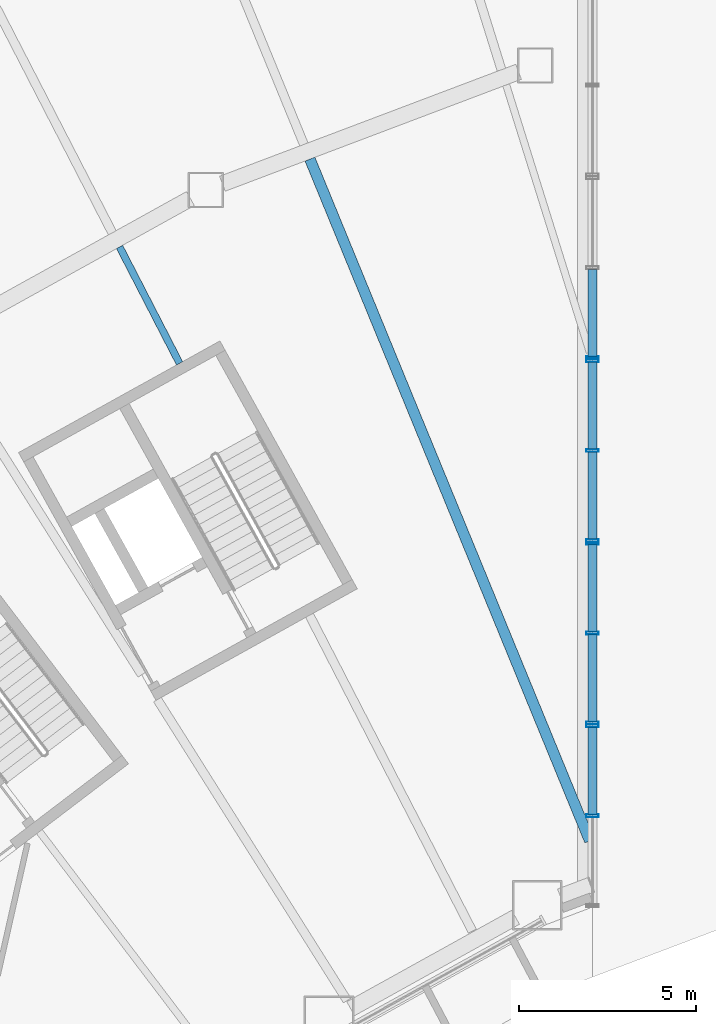
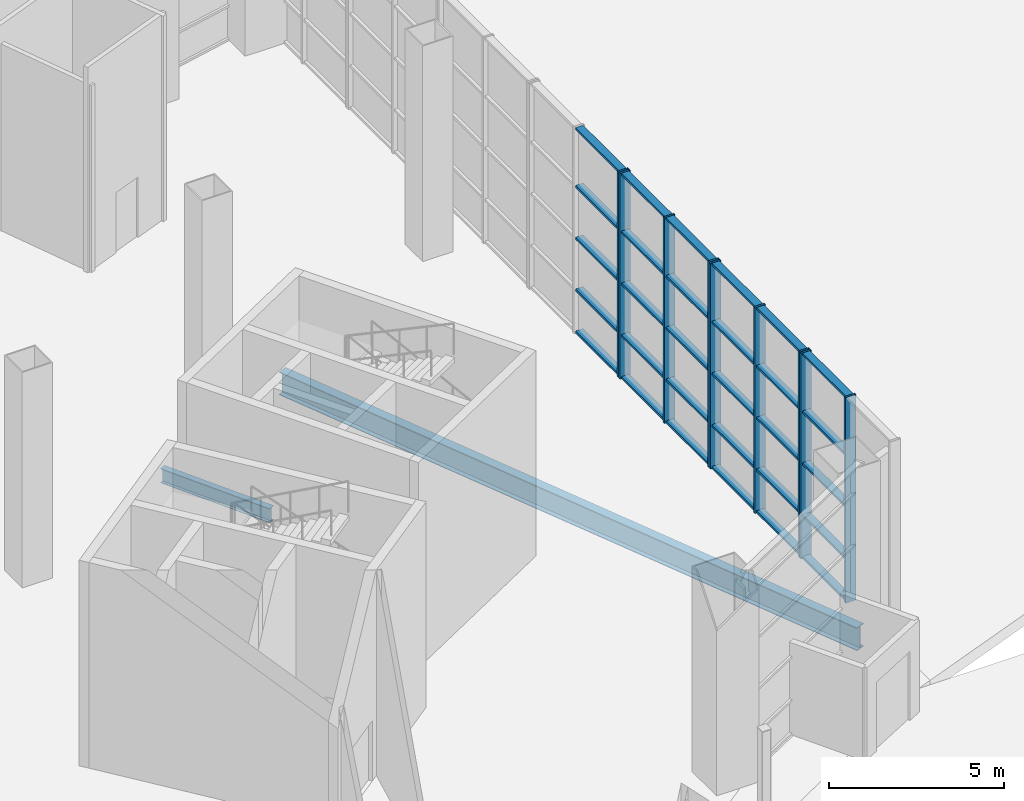
# One storey, part 14 of 45: 39 members, 2 beams, 4 elements without a shape of their own.
"""IFC4 building model written with IfcOpenShell, lengths in metres."""

from ifc_helpers import new_model, si_unit, direction, frame, origin, origin_2d, place, context, subcontext, project, spatial, hollow_rectangle, i_section, extrude, material, layer, layer_set, material_profile, profile_set, type_object, element, aggregate, save


model = new_model("IFC4")

# Units and contexts
model_context = context("Model", 3, precision=1e-05, world=origin(), true_north=direction((0.0, 1.0)))
body_context = subcontext(model_context, "Body", "Model", "MODEL_VIEW")
ifc_project = project(units=[si_unit("LENGTHUNIT", "METRE"), si_unit("AREAUNIT", "SQUARE_METRE"), si_unit("VOLUMEUNIT", "CUBIC_METRE"), si_unit("PLANEANGLEUNIT", "RADIAN"), si_unit("MASSUNIT", "GRAM", prefix="KILO")], contexts=[model_context])

# Site, building, storey
site_placement = place(None, origin())
site = spatial("IfcSite", under=ifc_project, at=site_placement, CompositionType="ELEMENT")
building_placement = place(site_placement, origin())
building = spatial("IfcBuilding", under=site, at=building_placement, Name="Tuul Gate Civic Tower", CompositionType="ELEMENT")
storey_placement = place(building_placement, origin())
storey = spatial("IfcBuildingStorey", under=building, at=storey_placement, Name="Level 00", CompositionType="ELEMENT", Elevation=0.0)

# Curtain wall, members
ifc_material_1 = material(Name="Stainless steel", Category="steel")
ifc_layer = layer(ifc_material_1, 0.199951171875)
ifc_layer_set = layer_set([ifc_layer], Name="Stainless steel")
curtain_wall_type = type_object("IfcCurtainWallType", Name="Curtain wall CW2", PredefinedType="NOTDEFINED", material=ifc_layer_set)
curtain_wall_1_placement = place(storey_placement, origin())
curtain_wall_1 = element("IfcCurtainWall", 1, at=curtain_wall_1_placement, inside=storey, type_object=curtain_wall_type, Name="Curtain wall CW2", PredefinedType="NOTDEFINED")
ifc_material_2 = material(Name="Stainless steel", Category="steel")
ifc_material_profile_1 = material_profile(ifc_material_2, hollow_rectangle(XDim=0.35009765625, YDim=0.080078125, WallThickness=0.006103515625, at=origin_2d()), Name="CW2 mullion")
ifc_profile_set_1 = profile_set([ifc_material_profile_1], Name="Stainless steel")
member_type_1 = type_object("IfcMemberType", Name="CW2 mullion", PredefinedType="MULLION", material=ifc_profile_set_1)
member_1_placement = place(storey_placement, frame((-18.0, -15.25732421875, 0.0), z_axis=(0.0, 0.0, 1.0), x_axis=(-1.0, 0.0, 0.0)))
member_1 = element("IfcMember", 2, at=member_1_placement, type_object=member_type_1, Name="Mullion", PredefinedType="MULLION", context=body_context, shape_type="SweptSolid", body=[
    extrude(hollow_rectangle(XDim=0.35009765625, YDim=0.080078125, WallThickness=0.006103515625, at=origin_2d()), origin(), (0.0, 0.0, 1.0), 7.14990234375),
])
member_2_placement = place(storey_placement, frame((-18.0, -12.71875, 0.0), z_axis=(0.0, 0.0, 1.0), x_axis=(-1.0, 0.0, 0.0)))
member_2 = element("IfcMember", 3, at=member_2_placement, type_object=member_type_1, Name="Mullion", PredefinedType="MULLION", context=body_context, shape_type="SweptSolid", body=[
    extrude(hollow_rectangle(XDim=0.35009765625, YDim=0.080078125, WallThickness=0.006103515625, at=origin_2d()), origin(), (0.0, 0.0, 1.0), 7.14990234375),
])

curtain_wall_2_placement = place(storey_placement, origin())
curtain_wall_2 = element("IfcCurtainWall", 4, at=curtain_wall_2_placement, inside=storey, type_object=curtain_wall_type, Name="Curtain wall CW2", PredefinedType="NOTDEFINED")
member_3_placement = place(storey_placement, frame((-18.0, -12.638671875, 0.0), z_axis=(0.0, 0.0, 1.0), x_axis=(-1.0, 0.0, 0.0)))
member_3 = element("IfcMember", 5, at=member_3_placement, type_object=member_type_1, Name="Mullion", PredefinedType="MULLION", context=body_context, shape_type="SweptSolid", body=[
    extrude(hollow_rectangle(XDim=0.35009765625, YDim=0.080078125, WallThickness=0.006103515625, at=origin_2d()), origin(), (0.0, 0.0, 1.0), 7.14990234375),
])
member_4_placement = place(storey_placement, frame((-18.0, -10.10009765625, 0.0), z_axis=(0.0, 0.0, 1.0), x_axis=(-1.0, 0.0, 0.0)))
member_4 = element("IfcMember", 6, at=member_4_placement, type_object=member_type_1, Name="Mullion", PredefinedType="MULLION", context=body_context, shape_type="SweptSolid", body=[
    extrude(hollow_rectangle(XDim=0.35009765625, YDim=0.080078125, WallThickness=0.006103515625, at=origin_2d()), origin(), (0.0, 0.0, 1.0), 7.14990234375),
])
member_5_placement = place(storey_placement, frame((-18.0, -7.5615234375, 0.0), z_axis=(0.0, 0.0, 1.0), x_axis=(-1.0, 0.0, 0.0)))
member_5 = element("IfcMember", 7, at=member_5_placement, type_object=member_type_1, Name="Mullion", PredefinedType="MULLION", context=body_context, shape_type="SweptSolid", body=[
    extrude(hollow_rectangle(XDim=0.35009765625, YDim=0.080078125, WallThickness=0.006103515625, at=origin_2d()), origin(), (0.0, 0.0, 1.0), 7.14990234375),
])

curtain_wall_3_placement = place(storey_placement, origin())
curtain_wall_3 = element("IfcCurtainWall", 8, at=curtain_wall_3_placement, inside=storey, type_object=curtain_wall_type, Name="Curtain wall CW2", PredefinedType="NOTDEFINED")
member_6_placement = place(storey_placement, frame((-18.0, -7.4814453125, 0.0), z_axis=(0.0, 0.0, 1.0), x_axis=(-1.0, 0.0, 0.0)))
member_6 = element("IfcMember", 9, at=member_6_placement, type_object=member_type_1, Name="Mullion", PredefinedType="MULLION", context=body_context, shape_type="SweptSolid", body=[
    extrude(hollow_rectangle(XDim=0.35009765625, YDim=0.080078125, WallThickness=0.006103515625, at=origin_2d()), origin(), (0.0, 0.0, 1.0), 7.14990234375),
])
member_7_placement = place(storey_placement, frame((-18.0, -4.94287109375, 0.0), z_axis=(0.0, 0.0, 1.0), x_axis=(-1.0, 0.0, 0.0)))
member_7 = element("IfcMember", 10, at=member_7_placement, type_object=member_type_1, Name="Mullion", PredefinedType="MULLION", context=body_context, shape_type="SweptSolid", body=[
    extrude(hollow_rectangle(XDim=0.35009765625, YDim=0.080078125, WallThickness=0.006103515625, at=origin_2d()), origin(), (0.0, 0.0, 1.0), 7.14990234375),
])
member_8_placement = place(storey_placement, frame((-18.0, -2.404052734375, 0.0), z_axis=(0.0, 0.0, 1.0), x_axis=(-1.0, 0.0, 0.0)))
member_8 = element("IfcMember", 11, at=member_8_placement, type_object=member_type_1, Name="Mullion", PredefinedType="MULLION", context=body_context, shape_type="SweptSolid", body=[
    extrude(hollow_rectangle(XDim=0.35009765625, YDim=0.080078125, WallThickness=0.006103515625, at=origin_2d()), origin(), (0.0, 0.0, 1.0), 7.14990234375),
])

# Curtain wall, member
curtain_wall_4_placement = place(storey_placement, origin())
curtain_wall_4 = element("IfcCurtainWall", 12, at=curtain_wall_4_placement, inside=storey, type_object=curtain_wall_type, Name="Curtain wall CW2", PredefinedType="NOTDEFINED")
member_9_placement = place(storey_placement, frame((-18.0, -2.32421875, 0.0), z_axis=(0.0, 0.0, 1.0), x_axis=(-1.0, 0.0, 0.0)))
member_9 = element("IfcMember", 13, at=member_9_placement, type_object=member_type_1, Name="Mullion", PredefinedType="MULLION", context=body_context, shape_type="SweptSolid", body=[
    extrude(hollow_rectangle(XDim=0.35009765625, YDim=0.080078125, WallThickness=0.006103515625, at=origin_2d()), origin(), (0.0, 0.0, 1.0), 7.14990234375),
])

# Member
ifc_material_3 = material(Name="Stainless steel", Category="steel")
ifc_material_profile_2 = material_profile(ifc_material_3, hollow_rectangle(XDim=0.25, YDim=0.080078125, WallThickness=0.006103515625, at=origin_2d()), Name="CW2 transom")
ifc_profile_set_2 = profile_set([ifc_material_profile_2], Name="Stainless steel")
member_type_2 = type_object("IfcMemberType", Name="CW2 transom", PredefinedType="USERDEFINED", material=ifc_profile_set_2)
member_10_placement = place(storey_placement, frame((-18.0, -15.21728515625, 0.0400390625), z_axis=(0.0, 1.0, 0.0), x_axis=(-1.0, 0.0, 0.0)))
member_10 = element("IfcMember", 14, at=member_10_placement, type_object=member_type_2, Name="Transom", ObjectType="TRANSOM", PredefinedType="USERDEFINED", context=body_context, shape_type="SweptSolid", body=[
    extrude(hollow_rectangle(XDim=0.25, YDim=0.080078125, WallThickness=0.006103515625, at=origin_2d()), origin(), (0.0, 0.0, 1.0), 2.45849609375),
])

member_11_placement = place(storey_placement, frame((-18.0, -15.21728515625, 1.5), z_axis=(0.0, 1.0, 0.0), x_axis=(-1.0, 0.0, 0.0)))
member_11 = element("IfcMember", 15, at=member_11_placement, type_object=member_type_2, Name="Transom", ObjectType="TRANSOM", PredefinedType="USERDEFINED", context=body_context, shape_type="SweptSolid", body=[
    extrude(hollow_rectangle(XDim=0.25, YDim=0.080078125, WallThickness=0.006103515625, at=origin_2d()), origin(), (0.0, 0.0, 1.0), 2.45849609375),
])

member_12_placement = place(storey_placement, frame((-18.0, -15.21728515625, 3.300048828125), z_axis=(0.0, 1.0, 0.0), x_axis=(-1.0, 0.0, 0.0)))
member_12 = element("IfcMember", 16, at=member_12_placement, type_object=member_type_2, Name="Transom", ObjectType="TRANSOM", PredefinedType="USERDEFINED", context=body_context, shape_type="SweptSolid", body=[
    extrude(hollow_rectangle(XDim=0.25, YDim=0.080078125, WallThickness=0.006103515625, at=origin_2d()), origin(), (0.0, 0.0, 1.0), 2.45849609375),
])

member_13_placement = place(storey_placement, frame((-18.0, -15.21728515625, 5.10009765625), z_axis=(0.0, 1.0, 0.0), x_axis=(-1.0, 0.0, 0.0)))
member_13 = element("IfcMember", 17, at=member_13_placement, type_object=member_type_2, Name="Transom", ObjectType="TRANSOM", PredefinedType="USERDEFINED", context=body_context, shape_type="SweptSolid", body=[
    extrude(hollow_rectangle(XDim=0.25, YDim=0.080078125, WallThickness=0.006103515625, at=origin_2d()), origin(), (0.0, 0.0, 1.0), 2.45849609375),
])

member_14_placement = place(storey_placement, frame((-18.0, -15.21728515625, 7.110107421875), z_axis=(0.0, 1.0, 0.0), x_axis=(-1.0, 0.0, 0.0)))
member_14 = element("IfcMember", 18, at=member_14_placement, type_object=member_type_2, Name="Transom", ObjectType="TRANSOM", PredefinedType="USERDEFINED", context=body_context, shape_type="SweptSolid", body=[
    extrude(hollow_rectangle(XDim=0.25, YDim=0.080078125, WallThickness=0.006103515625, at=origin_2d()), origin(), (0.0, 0.0, 1.0), 2.45849609375),
])

aggregate(curtain_wall_1, [member_1, member_2, member_10, member_11, member_12, member_13, member_14])

member_15_placement = place(storey_placement, frame((-18.0, -12.5986328125, 0.0400390625), z_axis=(0.0, 1.0, 0.0), x_axis=(-1.0, 0.0, 0.0)))
member_15 = element("IfcMember", 19, at=member_15_placement, type_object=member_type_2, Name="Transom", ObjectType="TRANSOM", PredefinedType="USERDEFINED", context=body_context, shape_type="SweptSolid", body=[
    extrude(hollow_rectangle(XDim=0.25, YDim=0.080078125, WallThickness=0.006103515625, at=origin_2d()), origin(), (0.0, 0.0, 1.0), 2.45849609375),
])

member_16_placement = place(storey_placement, frame((-18.0, -12.5986328125, 1.5), z_axis=(0.0, 1.0, 0.0), x_axis=(-1.0, 0.0, 0.0)))
member_16 = element("IfcMember", 20, at=member_16_placement, type_object=member_type_2, Name="Transom", ObjectType="TRANSOM", PredefinedType="USERDEFINED", context=body_context, shape_type="SweptSolid", body=[
    extrude(hollow_rectangle(XDim=0.25, YDim=0.080078125, WallThickness=0.006103515625, at=origin_2d()), origin(), (0.0, 0.0, 1.0), 2.45849609375),
])

member_17_placement = place(storey_placement, frame((-18.0, -12.5986328125, 3.300048828125), z_axis=(0.0, 1.0, 0.0), x_axis=(-1.0, 0.0, 0.0)))
member_17 = element("IfcMember", 21, at=member_17_placement, type_object=member_type_2, Name="Transom", ObjectType="TRANSOM", PredefinedType="USERDEFINED", context=body_context, shape_type="SweptSolid", body=[
    extrude(hollow_rectangle(XDim=0.25, YDim=0.080078125, WallThickness=0.006103515625, at=origin_2d()), origin(), (0.0, 0.0, 1.0), 2.45849609375),
])

member_18_placement = place(storey_placement, frame((-18.0, -12.5986328125, 5.10009765625), z_axis=(0.0, 1.0, 0.0), x_axis=(-1.0, 0.0, 0.0)))
member_18 = element("IfcMember", 22, at=member_18_placement, type_object=member_type_2, Name="Transom", ObjectType="TRANSOM", PredefinedType="USERDEFINED", context=body_context, shape_type="SweptSolid", body=[
    extrude(hollow_rectangle(XDim=0.25, YDim=0.080078125, WallThickness=0.006103515625, at=origin_2d()), origin(), (0.0, 0.0, 1.0), 2.45849609375),
])

member_19_placement = place(storey_placement, frame((-18.0, -12.5986328125, 7.110107421875), z_axis=(0.0, 1.0, 0.0), x_axis=(-1.0, 0.0, 0.0)))
member_19 = element("IfcMember", 23, at=member_19_placement, type_object=member_type_2, Name="Transom", ObjectType="TRANSOM", PredefinedType="USERDEFINED", context=body_context, shape_type="SweptSolid", body=[
    extrude(hollow_rectangle(XDim=0.25, YDim=0.080078125, WallThickness=0.006103515625, at=origin_2d()), origin(), (0.0, 0.0, 1.0), 2.45849609375),
])

member_20_placement = place(storey_placement, frame((-18.0, -10.06005859375, 0.0400390625), z_axis=(0.0, 1.0, 0.0), x_axis=(-1.0, 0.0, 0.0)))
member_20 = element("IfcMember", 24, at=member_20_placement, type_object=member_type_2, Name="Transom", ObjectType="TRANSOM", PredefinedType="USERDEFINED", context=body_context, shape_type="SweptSolid", body=[
    extrude(hollow_rectangle(XDim=0.25, YDim=0.080078125, WallThickness=0.006103515625, at=origin_2d()), origin(), (0.0, 0.0, 1.0), 2.458740234375),
])

member_21_placement = place(storey_placement, frame((-18.0, -10.06005859375, 1.5), z_axis=(0.0, 1.0, 0.0), x_axis=(-1.0, 0.0, 0.0)))
member_21 = element("IfcMember", 25, at=member_21_placement, type_object=member_type_2, Name="Transom", ObjectType="TRANSOM", PredefinedType="USERDEFINED", context=body_context, shape_type="SweptSolid", body=[
    extrude(hollow_rectangle(XDim=0.25, YDim=0.080078125, WallThickness=0.006103515625, at=origin_2d()), origin(), (0.0, 0.0, 1.0), 2.458740234375),
])

member_22_placement = place(storey_placement, frame((-18.0, -10.06005859375, 3.300048828125), z_axis=(0.0, 1.0, 0.0), x_axis=(-1.0, 0.0, 0.0)))
member_22 = element("IfcMember", 26, at=member_22_placement, type_object=member_type_2, Name="Transom", ObjectType="TRANSOM", PredefinedType="USERDEFINED", context=body_context, shape_type="SweptSolid", body=[
    extrude(hollow_rectangle(XDim=0.25, YDim=0.080078125, WallThickness=0.006103515625, at=origin_2d()), origin(), (0.0, 0.0, 1.0), 2.458740234375),
])

member_23_placement = place(storey_placement, frame((-18.0, -10.06005859375, 5.10009765625), z_axis=(0.0, 1.0, 0.0), x_axis=(-1.0, 0.0, 0.0)))
member_23 = element("IfcMember", 27, at=member_23_placement, type_object=member_type_2, Name="Transom", ObjectType="TRANSOM", PredefinedType="USERDEFINED", context=body_context, shape_type="SweptSolid", body=[
    extrude(hollow_rectangle(XDim=0.25, YDim=0.080078125, WallThickness=0.006103515625, at=origin_2d()), origin(), (0.0, 0.0, 1.0), 2.458740234375),
])

member_24_placement = place(storey_placement, frame((-18.0, -10.06005859375, 7.110107421875), z_axis=(0.0, 1.0, 0.0), x_axis=(-1.0, 0.0, 0.0)))
member_24 = element("IfcMember", 28, at=member_24_placement, type_object=member_type_2, Name="Transom", ObjectType="TRANSOM", PredefinedType="USERDEFINED", context=body_context, shape_type="SweptSolid", body=[
    extrude(hollow_rectangle(XDim=0.25, YDim=0.080078125, WallThickness=0.006103515625, at=origin_2d()), origin(), (0.0, 0.0, 1.0), 2.458740234375),
])

aggregate(curtain_wall_2, [member_3, member_4, member_5, member_15, member_16, member_17, member_18, member_19, member_20, member_21, member_22, member_23, member_24])

member_25_placement = place(storey_placement, frame((-18.0, -7.44140625, 0.0400390625), z_axis=(0.0, 1.0, 0.0), x_axis=(-1.0, 0.0, 0.0)))
member_25 = element("IfcMember", 29, at=member_25_placement, type_object=member_type_2, Name="Transom", ObjectType="TRANSOM", PredefinedType="USERDEFINED", context=body_context, shape_type="SweptSolid", body=[
    extrude(hollow_rectangle(XDim=0.25, YDim=0.080078125, WallThickness=0.006103515625, at=origin_2d()), origin(), (0.0, 0.0, 1.0), 2.458740234375),
])

member_26_placement = place(storey_placement, frame((-18.0, -7.44140625, 1.5), z_axis=(0.0, 1.0, 0.0), x_axis=(-1.0, 0.0, 0.0)))
member_26 = element("IfcMember", 30, at=member_26_placement, type_object=member_type_2, Name="Transom", ObjectType="TRANSOM", PredefinedType="USERDEFINED", context=body_context, shape_type="SweptSolid", body=[
    extrude(hollow_rectangle(XDim=0.25, YDim=0.080078125, WallThickness=0.006103515625, at=origin_2d()), origin(), (0.0, 0.0, 1.0), 2.458740234375),
])

member_27_placement = place(storey_placement, frame((-18.0, -7.44140625, 3.300048828125), z_axis=(0.0, 1.0, 0.0), x_axis=(-1.0, 0.0, 0.0)))
member_27 = element("IfcMember", 31, at=member_27_placement, type_object=member_type_2, Name="Transom", ObjectType="TRANSOM", PredefinedType="USERDEFINED", context=body_context, shape_type="SweptSolid", body=[
    extrude(hollow_rectangle(XDim=0.25, YDim=0.080078125, WallThickness=0.006103515625, at=origin_2d()), origin(), (0.0, 0.0, 1.0), 2.458740234375),
])

member_28_placement = place(storey_placement, frame((-18.0, -7.44140625, 5.10009765625), z_axis=(0.0, 1.0, 0.0), x_axis=(-1.0, 0.0, 0.0)))
member_28 = element("IfcMember", 32, at=member_28_placement, type_object=member_type_2, Name="Transom", ObjectType="TRANSOM", PredefinedType="USERDEFINED", context=body_context, shape_type="SweptSolid", body=[
    extrude(hollow_rectangle(XDim=0.25, YDim=0.080078125, WallThickness=0.006103515625, at=origin_2d()), origin(), (0.0, 0.0, 1.0), 2.458740234375),
])

member_29_placement = place(storey_placement, frame((-18.0, -7.44140625, 7.110107421875), z_axis=(0.0, 1.0, 0.0), x_axis=(-1.0, 0.0, 0.0)))
member_29 = element("IfcMember", 33, at=member_29_placement, type_object=member_type_2, Name="Transom", ObjectType="TRANSOM", PredefinedType="USERDEFINED", context=body_context, shape_type="SweptSolid", body=[
    extrude(hollow_rectangle(XDim=0.25, YDim=0.080078125, WallThickness=0.006103515625, at=origin_2d()), origin(), (0.0, 0.0, 1.0), 2.458740234375),
])

member_30_placement = place(storey_placement, frame((-18.0, -4.90283203125, 0.0400390625), z_axis=(0.0, 1.0, 0.0), x_axis=(-1.0, 0.0, 0.0)))
member_30 = element("IfcMember", 34, at=member_30_placement, type_object=member_type_2, Name="Transom", ObjectType="TRANSOM", PredefinedType="USERDEFINED", context=body_context, shape_type="SweptSolid", body=[
    extrude(hollow_rectangle(XDim=0.25, YDim=0.080078125, WallThickness=0.006103515625, at=origin_2d()), origin(), (0.0, 0.0, 1.0), 2.458740234375),
])

member_31_placement = place(storey_placement, frame((-18.0, -4.90283203125, 1.5), z_axis=(0.0, 1.0, 0.0), x_axis=(-1.0, 0.0, 0.0)))
member_31 = element("IfcMember", 35, at=member_31_placement, type_object=member_type_2, Name="Transom", ObjectType="TRANSOM", PredefinedType="USERDEFINED", context=body_context, shape_type="SweptSolid", body=[
    extrude(hollow_rectangle(XDim=0.25, YDim=0.080078125, WallThickness=0.006103515625, at=origin_2d()), origin(), (0.0, 0.0, 1.0), 2.458740234375),
])

member_32_placement = place(storey_placement, frame((-18.0, -4.90283203125, 3.300048828125), z_axis=(0.0, 1.0, 0.0), x_axis=(-1.0, 0.0, 0.0)))
member_32 = element("IfcMember", 36, at=member_32_placement, type_object=member_type_2, Name="Transom", ObjectType="TRANSOM", PredefinedType="USERDEFINED", context=body_context, shape_type="SweptSolid", body=[
    extrude(hollow_rectangle(XDim=0.25, YDim=0.080078125, WallThickness=0.006103515625, at=origin_2d()), origin(), (0.0, 0.0, 1.0), 2.458740234375),
])

member_33_placement = place(storey_placement, frame((-18.0, -4.90283203125, 5.10009765625), z_axis=(0.0, 1.0, 0.0), x_axis=(-1.0, 0.0, 0.0)))
member_33 = element("IfcMember", 37, at=member_33_placement, type_object=member_type_2, Name="Transom", ObjectType="TRANSOM", PredefinedType="USERDEFINED", context=body_context, shape_type="SweptSolid", body=[
    extrude(hollow_rectangle(XDim=0.25, YDim=0.080078125, WallThickness=0.006103515625, at=origin_2d()), origin(), (0.0, 0.0, 1.0), 2.458740234375),
])

member_34_placement = place(storey_placement, frame((-18.0, -4.90283203125, 7.110107421875), z_axis=(0.0, 1.0, 0.0), x_axis=(-1.0, 0.0, 0.0)))
member_34 = element("IfcMember", 38, at=member_34_placement, type_object=member_type_2, Name="Transom", ObjectType="TRANSOM", PredefinedType="USERDEFINED", context=body_context, shape_type="SweptSolid", body=[
    extrude(hollow_rectangle(XDim=0.25, YDim=0.080078125, WallThickness=0.006103515625, at=origin_2d()), origin(), (0.0, 0.0, 1.0), 2.458740234375),
])

aggregate(curtain_wall_3, [member_6, member_7, member_8, member_25, member_26, member_27, member_28, member_29, member_30, member_31, member_32, member_33, member_34])

member_35_placement = place(storey_placement, frame((-18.0, -2.2841796875, 0.0400390625), z_axis=(0.0, 1.0, 0.0), x_axis=(-1.0, 0.0, 0.0)))
member_35 = element("IfcMember", 39, at=member_35_placement, type_object=member_type_2, Name="Transom", ObjectType="TRANSOM", PredefinedType="USERDEFINED", context=body_context, shape_type="SweptSolid", body=[
    extrude(hollow_rectangle(XDim=0.25, YDim=0.080078125, WallThickness=0.006103515625, at=origin_2d()), origin(), (0.0, 0.0, 1.0), 2.458740234375),
])

member_36_placement = place(storey_placement, frame((-18.0, -2.2841796875, 1.5), z_axis=(0.0, 1.0, 0.0), x_axis=(-1.0, 0.0, 0.0)))
member_36 = element("IfcMember", 40, at=member_36_placement, type_object=member_type_2, Name="Transom", ObjectType="TRANSOM", PredefinedType="USERDEFINED", context=body_context, shape_type="SweptSolid", body=[
    extrude(hollow_rectangle(XDim=0.25, YDim=0.080078125, WallThickness=0.006103515625, at=origin_2d()), origin(), (0.0, 0.0, 1.0), 2.458740234375),
])

member_37_placement = place(storey_placement, frame((-18.0, -2.2841796875, 3.300048828125), z_axis=(0.0, 1.0, 0.0), x_axis=(-1.0, 0.0, 0.0)))
member_37 = element("IfcMember", 41, at=member_37_placement, type_object=member_type_2, Name="Transom", ObjectType="TRANSOM", PredefinedType="USERDEFINED", context=body_context, shape_type="SweptSolid", body=[
    extrude(hollow_rectangle(XDim=0.25, YDim=0.080078125, WallThickness=0.006103515625, at=origin_2d()), origin(), (0.0, 0.0, 1.0), 2.458740234375),
])

member_38_placement = place(storey_placement, frame((-18.0, -2.2841796875, 5.10009765625), z_axis=(0.0, 1.0, 0.0), x_axis=(-1.0, 0.0, 0.0)))
member_38 = element("IfcMember", 42, at=member_38_placement, type_object=member_type_2, Name="Transom", ObjectType="TRANSOM", PredefinedType="USERDEFINED", context=body_context, shape_type="SweptSolid", body=[
    extrude(hollow_rectangle(XDim=0.25, YDim=0.080078125, WallThickness=0.006103515625, at=origin_2d()), origin(), (0.0, 0.0, 1.0), 2.458740234375),
])

member_39_placement = place(storey_placement, frame((-18.0, -2.2841796875, 7.110107421875), z_axis=(0.0, 1.0, 0.0), x_axis=(-1.0, 0.0, 0.0)))
member_39 = element("IfcMember", 43, at=member_39_placement, type_object=member_type_2, Name="Transom", ObjectType="TRANSOM", PredefinedType="USERDEFINED", context=body_context, shape_type="SweptSolid", body=[
    extrude(hollow_rectangle(XDim=0.25, YDim=0.080078125, WallThickness=0.006103515625, at=origin_2d()), origin(), (0.0, 0.0, 1.0), 2.458740234375),
])

aggregate(curtain_wall_4, [member_9, member_35, member_36, member_37, member_38, member_39])

# Beams
ifc_material_4 = material(Name="Steel S355", Category="steel")
ifc_material_profile_3 = material_profile(ifc_material_4, i_section(OverallWidth=0.199951171875, OverallDepth=0.5, WebThickness=0.010009765625, FlangeThickness=0.01611328125, at=origin_2d()), Name="PG500x200x10x16")
ifc_profile_set_3 = profile_set([ifc_material_profile_3], Name="Steel S355")
beam_type_1 = type_object("IfcBeamType", Name="STR-FLOOR BEAM-PG500x200x10x16", PredefinedType="BEAM", material=ifc_profile_set_3)
beam_1_placement = place(storey_placement, frame((-29.65625, -2.4814453125, -0.64990234375), z_axis=(-0.458245936385, 0.888825439435, 0.0), x_axis=(-0.888825439435, -0.458245936385, 0.0)))
element("IfcBeam", 44, at=beam_1_placement, inside=storey, type_object=beam_type_1, Name="Floor beam", PredefinedType="BEAM", context=body_context, shape_type="SweptSolid", body=[
    extrude(i_section(OverallWidth=0.199951171875, OverallDepth=0.5, WebThickness=0.010009765625, FlangeThickness=0.01611328125, at=origin_2d()), origin(), (0.0, 0.0, 1.0), 3.697509765625),
])
ifc_material_5 = material(Name="Steel S355", Category="steel")
ifc_material_profile_4 = material_profile(ifc_material_5, i_section(OverallWidth=0.300048828125, OverallDepth=0.800048828125, WebThickness=0.013916015625, FlangeThickness=0.02490234375, at=origin_2d()), Name="PG800x300x14x25")
ifc_profile_set_4 = profile_set([ifc_material_profile_4], Name="Steel S355")
beam_type_2 = type_object("IfcBeamType", Name="STR-FLOOR BEAM-PG800x300x14x25", PredefinedType="BEAM", material=ifc_profile_set_4)
beam_2_placement = place(storey_placement, frame((-18.074951171875, -15.9638671875, -0.800048828125), z_axis=(-0.379719110577, 0.925101830645, 0.0), x_axis=(-0.925101830645, -0.379719110577, 0.0)))
element("IfcBeam", 45, at=beam_2_placement, inside=storey, type_object=beam_type_2, Name="Floor beam", PredefinedType="BEAM", context=body_context, shape_type="SweptSolid", body=[
    extrude(i_section(OverallWidth=0.300048828125, OverallDepth=0.800048828125, WebThickness=0.013916015625, FlangeThickness=0.02490234375, at=origin_2d()), origin(), (0.0, 0.0, 1.0), 20.805908203125),
])

save(model, "model.ifc")
